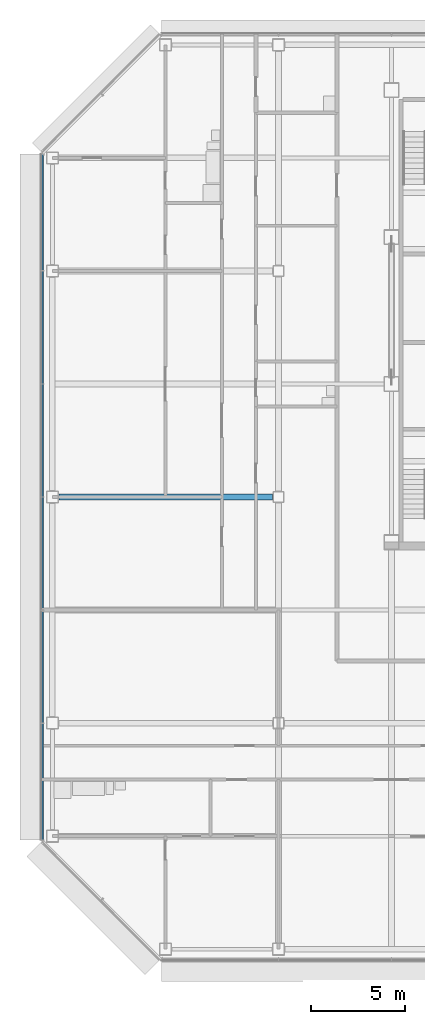
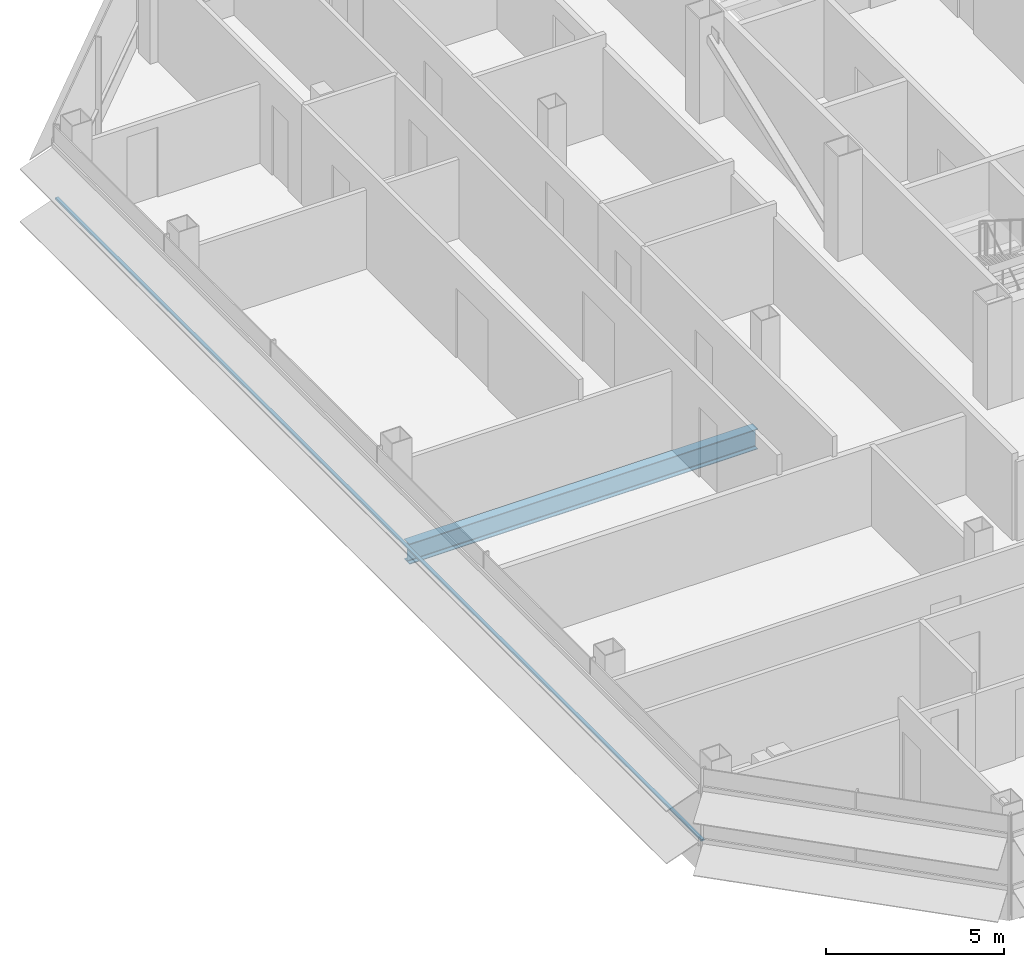
# One storey, part 5 of 29: 1 beam, 1 member, 1 element without a shape of its own.
"""IFC4 building model written with IfcOpenShell, lengths in metres."""

from ifc_helpers import new_model, si_unit, direction, frame, origin, origin_2d, place, context, subcontext, project, spatial, rectangle, i_section, extrude, material, material_profile, profile_set, type_object, element, aggregate, save


model = new_model("IFC4")

# Units and contexts
model_context = context("Model", 3, precision=1e-05, world=origin(), true_north=direction((0.0, 1.0)))
body_context = subcontext(model_context, "Body", "Model", "MODEL_VIEW")
ifc_project = project(units=[si_unit("LENGTHUNIT", "METRE"), si_unit("AREAUNIT", "SQUARE_METRE"), si_unit("VOLUMEUNIT", "CUBIC_METRE"), si_unit("PLANEANGLEUNIT", "RADIAN"), si_unit("MASSUNIT", "GRAM", prefix="KILO")], contexts=[model_context])

# Site, building, storey
site_placement = place(None, origin())
site = spatial("IfcSite", under=ifc_project, at=site_placement, CompositionType="ELEMENT")
building_placement = place(site_placement, origin())
building = spatial("IfcBuilding", under=site, at=building_placement, Name="Sorahane Residences", CompositionType="ELEMENT")
storey_placement = place(building_placement, frame((0.0, 0.0, 199.199951171875)))
storey = spatial("IfcBuildingStorey", under=building, at=storey_placement, Name="L46", CompositionType="ELEMENT", Elevation=199.199951171875)

# Curtain wall, member
ifc_material_1 = material(Name="Dark low-e glass and black anodised aluminium", Category="aluminium")
curtain_wall_type = type_object("IfcCurtainWallType", Name="Curtain wall CW-1 Typical unitised wall", PredefinedType="NOTDEFINED", material=ifc_material_1)
curtain_wall_placement = place(storey_placement, origin())
curtain_wall = element("IfcCurtainWall", 1, at=curtain_wall_placement, inside=storey, type_object=curtain_wall_type, Name="CW-1 curtain wall L46 W1", PredefinedType="NOTDEFINED")
ifc_material_2 = material(Name="Black anodised aluminium", Category="aluminium")
ifc_material_profile_1 = material_profile(ifc_material_2, rectangle(XDim=0.10009765625, YDim=0.06005859375, at=origin_2d()), Name="Curtain wall transom CW-1 black anodised aluminium 60x100")
ifc_profile_set_1 = profile_set([ifc_material_profile_1], Name="Black anodised aluminium")
member_type = type_object("IfcMemberType", Name="Curtain wall transom CW-1 black anodised aluminium 60x100", PredefinedType="USERDEFINED", material=ifc_profile_set_1)
member_placement = place(storey_placement, frame((-12.530029296875, 42.198486328125, 0.900146484375), z_axis=(0.0, -1.0, 0.0), x_axis=(1.0, 0.0, 0.0)))
member = element("IfcMember", 2, at=member_placement, type_object=member_type, Name="CW-1 transom L46 W1", ObjectType="TRANSOM", PredefinedType="USERDEFINED", context=body_context, shape_type="SweptSolid", body=[
    extrude(rectangle(XDim=0.10009765625, YDim=0.06005859375, at=origin_2d()), origin(), (0.0, 0.0, 1.0), 36.39697265625),
])
aggregate(curtain_wall, [member])

# Beam
ifc_material_3 = material(Name="Steel Q355B", Category="steel")
ifc_material_profile_2 = material_profile(ifc_material_3, i_section(OverallWidth=0.300048828125, OverallDepth=0.699951171875, WebThickness=0.012939453125, FlangeThickness=0.02392578125, FilletRadius=0.028076171875, at=origin_2d()), Name="HN 700x300x13x24")
ifc_profile_set_2 = profile_set([ifc_material_profile_2], Name="Steel Q355B")
beam_type = type_object("IfcBeamType", Name="Steel floor beam HN 700x300x13x24 Q355B", PredefinedType="BEAM", material=ifc_profile_set_2)
beam_placement = place(storey_placement, frame((-11.64990234375, 24.0, -0.530029296875), z_axis=(1.0, 0.0, 0.0), x_axis=(0.0, 1.0, 0.0)))
element("IfcBeam", 3, at=beam_placement, inside=storey, type_object=beam_type, Name="Beam L46 011", PredefinedType="BEAM", context=body_context, shape_type="SweptSolid", body=[
    extrude(i_section(OverallWidth=0.300048828125, OverallDepth=0.699951171875, WebThickness=0.012939453125, FlangeThickness=0.02392578125, FilletRadius=0.028076171875, at=origin_2d()), origin(), (0.0, 0.0, 1.0), 11.324951171875),
])

save(model, "model.ifc")
